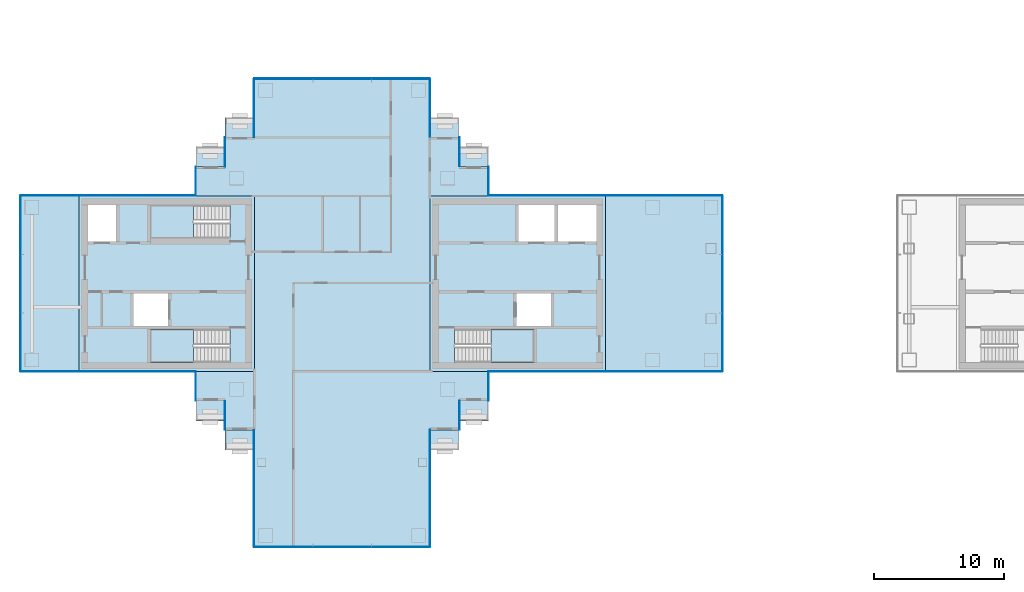
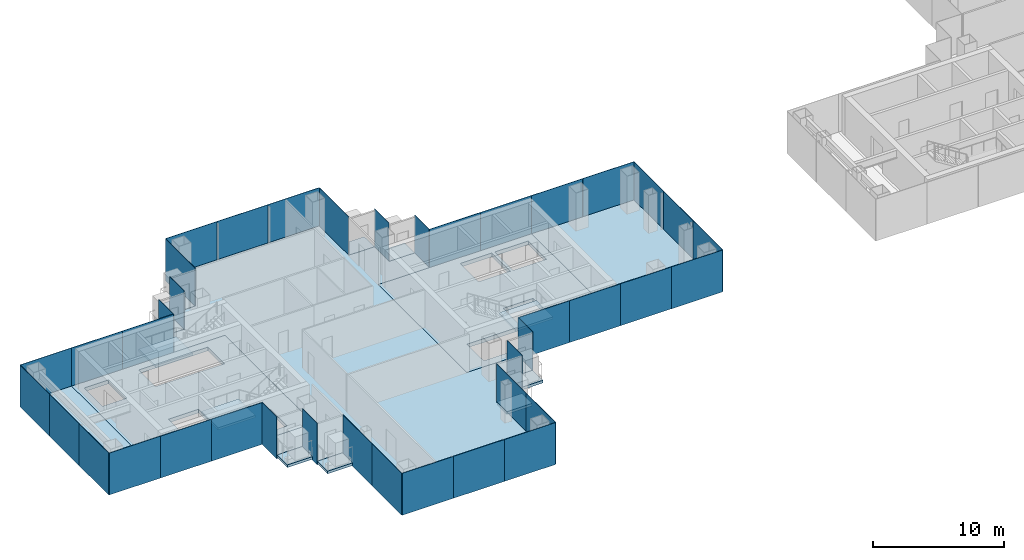
# One storey, part 7 of 16: 40 plates, 16 slabs, 23 elements without a shape of their own.
"""IFC4 building model written with IfcOpenShell, lengths in metres."""

import ifcopenshell
import ifcopenshell.guid

model = None  # the IFC model being written
_history = None  # IfcOwnerHistory: only IFC2X3 demands one
_inside = {}  # id of a spatial element -> (the spatial element, [elements in it])
_under = {}  # id of a project, library or spatial element -> (it, [spatial elements below it])
_declared = {}  # id of a project -> (the project, [libraries it declares])
_typed = {}  # id of a type object -> (the type object, [elements of that type])
_made_of = {}  # id of a material, layer set ... -> (it, [elements and type objects made of it])


def new_model(schema):
    """Start an empty IFC model of exactly this schema.

    Asked for "IFC4X3", IfcOpenShell would pick the latest addendum, in which some entities
    have other attributes; the version numbers below select the first issue.
    IFC2X3 requires an IfcOwnerHistory on every rooted entity: one is made here for all.
    """
    global model, _history
    if schema == "IFC4X3":
        model = ifcopenshell.file(schema_version=(4, 3, 0, 0))
    else:
        model = ifcopenshell.file(schema=schema)
    _inside.clear()
    _under.clear()
    _declared.clear()
    _typed.clear()
    _made_of.clear()
    _history = None
    if model.schema == "IFC2X3":
        org = make("IfcOrganization", Name="unknown")
        user = make(
            "IfcPersonAndOrganization",
            ThePerson=make("IfcPerson", FamilyName="unknown"),
            TheOrganization=org,
        )
        app = make(
            "IfcApplication",
            ApplicationDeveloper=org,
            Version="unknown",
            ApplicationFullName="unknown",
            ApplicationIdentifier="unknown",
        )
        _history = make(
            "IfcOwnerHistory",
            OwningUser=user,
            OwningApplication=app,
            ChangeAction="ADDED",
            CreationDate=0,
        )
    return model


def make(cls, **values):
    """One entity of the class cls with the attributes given. An attribute that is None is left unset."""
    return model.create_entity(
        cls, **{name: value for name, value in values.items() if value is not None}
    )


def rooted(cls, **values):
    """An entity with a GlobalId (a new one), such as an element, a storey or a relation."""
    return make(cls, GlobalId=ifcopenshell.guid.new(), OwnerHistory=_history, **values)


def si_unit(unit_type, name, prefix=None):
    """IfcSIUnit, for example si_unit("LENGTHUNIT", "METRE", prefix="MILLI")."""
    return make("IfcSIUnit", UnitType=unit_type, Prefix=prefix, Name=name)


def assignment(units):
    """IfcUnitAssignment: the units of a project."""
    return None if units is None else make("IfcUnitAssignment", Units=units)


def point(xyz):
    """IfcCartesianPoint."""
    return None if xyz is None else make("IfcCartesianPoint", Coordinates=xyz)


def direction(xyz):
    """IfcDirection."""
    return None if xyz is None else make("IfcDirection", DirectionRatios=xyz)


def frame(location, z_axis=None, x_axis=None):
    """IfcAxis2Placement3D, a coordinate frame: its origin and axes. An axis left out is left unset."""
    return make(
        "IfcAxis2Placement3D",
        Location=point(location),
        Axis=direction(z_axis),
        RefDirection=direction(x_axis),
    )


def frame_2d(location, x_axis=None):
    """IfcAxis2Placement2D, a coordinate frame in the plane: its origin and x axis."""
    return make(
        "IfcAxis2Placement2D", Location=point(location), RefDirection=direction(x_axis)
    )


def origin():
    """The frame at (0, 0, 0) with its axes left unset."""
    return frame((0.0, 0.0, 0.0))


def origin_2d():
    """The frame at (0, 0) in the plane with its x axis left unset."""
    return frame_2d((0.0, 0.0))


def place(relative_to, where):
    """IfcLocalPlacement: puts the frame where relative to a parent placement (None: the world)."""
    return make(
        "IfcLocalPlacement", PlacementRelTo=relative_to, RelativePlacement=where
    )


def context(
    kind, dimensions, precision=None, world=None, true_north=None, identifier=None
):
    """IfcGeometricRepresentationContext, for example the 3D "Model" context."""
    return make(
        "IfcGeometricRepresentationContext",
        ContextIdentifier=identifier,
        ContextType=kind,
        CoordinateSpaceDimension=dimensions,
        Precision=precision,
        WorldCoordinateSystem=world,
        TrueNorth=true_north,
    )


def subcontext(parent, identifier, kind, view, scale=None):
    """IfcGeometricRepresentationSubContext, for example "Body" below "Model"."""
    return make(
        "IfcGeometricRepresentationSubContext",
        ContextIdentifier=identifier,
        ContextType=kind,
        ParentContext=parent,
        TargetScale=scale,
        TargetView=view,
    )


def project(units=None, contexts=None):
    """IfcProject with its units and contexts."""
    return rooted(
        "IfcProject",
        Name="project",
        RepresentationContexts=contexts,
        UnitsInContext=assignment(units),
    )


def spatial(cls, under=None, at=None, **own):
    """A site, building, storey or space (cls), placed at a placement, below another one or the project."""
    s = rooted(cls, ObjectPlacement=at, **own)
    if under is not None:
        _under.setdefault(under.id(), (under, []))[1].append(s)
    return s


def polyline(points):
    """IfcPolyline through the points."""
    return make("IfcPolyline", Points=[point(p) for p in points])


def profile(cls, at=None, kind="AREA", **sizes):
    """A parametric profile (cls). Its sizes go by their IFC names, for example OverallWidth=200.0."""
    return make(cls, ProfileType=kind, Position=at, **sizes)


def rectangle(**sizes):
    """IfcRectangleProfileDef."""
    return profile("IfcRectangleProfileDef", **sizes)


def outline(outer, holes=None, kind="AREA"):
    """IfcArbitraryClosedProfileDef: a profile drawn as a closed curve; with holes, ...WithVoids."""
    if holes is None:
        return make("IfcArbitraryClosedProfileDef", ProfileType=kind, OuterCurve=outer)
    return make(
        "IfcArbitraryProfileDefWithVoids",
        ProfileType=kind,
        OuterCurve=outer,
        InnerCurves=holes,
    )


def extrude(swept, where, along, depth):
    """IfcExtrudedAreaSolid: the profile swept, set in the frame where, extruded along a direction by depth."""
    return make(
        "IfcExtrudedAreaSolid",
        SweptArea=swept,
        Position=where,
        ExtrudedDirection=direction(along),
        Depth=depth,
    )


def shape(context_of_items, identifier, shape_type, items):
    """IfcShapeRepresentation: the items that make up one representation, for example the "Body"."""
    return make(
        "IfcShapeRepresentation",
        ContextOfItems=context_of_items,
        RepresentationIdentifier=identifier,
        RepresentationType=shape_type,
        Items=items,
    )


def material(Name=None, Category=None):
    """IfcMaterial."""
    return make("IfcMaterial", Name=Name, Category=Category)


def layer(
    of_material, thickness, ventilated=None, Name=None, Category=None, Priority=None
):
    """IfcMaterialLayer: one layer of a wall or slab, of a material (None: an air gap)."""
    return make(
        "IfcMaterialLayer",
        Material=of_material,
        LayerThickness=thickness,
        IsVentilated=ventilated,
        Name=Name,
        Category=Category,
        Priority=Priority,
    )


def layer_set(layers, Name=None):
    """IfcMaterialLayerSet."""
    return make("IfcMaterialLayerSet", MaterialLayers=layers, LayerSetName=Name)


def made_of(thing, what):
    """Note that an element or type object is made of a material, layer set ...; save() writes the relation."""
    if what is not None:
        _made_of.setdefault(what.id(), (what, []))[1].append(thing)
    return thing


def type_object(cls, material=None, **own):
    """A type object (cls), such as IfcWallType, which elements share."""
    return made_of(rooted(cls, **own), material)


def element(
    cls,
    number,
    at=None,
    inside=None,
    cuts=None,
    type_object=None,
    material=None,
    context=None,
    identifier="Body",
    shape_type=None,
    held_by="IfcProductDefinitionShape",
    body=None,
    shapes=None,
    **own,
):
    """One element of the class cls, such as IfcWall. Its Tag is "e" and its number.

    at: its placement. inside: the storey or other place that contains it. cuts: it is an
    opening in that element (IfcRelVoidsElement). A single representation is given by context,
    identifier, shape_type and body (its items); several are given by shapes. held_by: the class
    of the entity that holds the representations. save() writes the other relations.
    """
    e = rooted(cls, Tag="e%d" % number, ObjectPlacement=at, **own)
    if body is not None:
        shapes = [shape(context, identifier, shape_type, body)]
    if shapes is not None:
        e.Representation = make(held_by, Representations=shapes)
    if inside is not None:
        _inside.setdefault(inside.id(), (inside, []))[1].append(e)
    if cuts is not None:
        rooted(
            "IfcRelVoidsElement", RelatingBuildingElement=cuts, RelatedOpeningElement=e
        )
    if type_object is not None:
        _typed.setdefault(type_object.id(), (type_object, []))[1].append(e)
    return made_of(e, material)


def aggregate(whole, parts):
    """IfcRelAggregates: a whole, such as a stair, and the parts it consists of."""
    return rooted("IfcRelAggregates", RelatingObject=whole, RelatedObjects=parts)


def save(model, path):
    """Write the relations noted so far, then the file.

    IfcRelAggregates (storeys below a building ...), IfcRelContainedInSpatialStructure (elements
    in a storey), IfcRelDefinesByType, IfcRelAssociatesMaterial and IfcRelDeclares: one each for
    every whole, place, type object, material and project.
    """
    for whole, parts in _under.values():
        aggregate(whole, parts)
    for where, things in _inside.values():
        rooted(
            "IfcRelContainedInSpatialStructure",
            RelatedElements=things,
            RelatingStructure=where,
        )
    for kind, things in _typed.values():
        rooted("IfcRelDefinesByType", RelatedObjects=things, RelatingType=kind)
    for what, things in _made_of.values():
        rooted("IfcRelAssociatesMaterial", RelatedObjects=things, RelatingMaterial=what)
    for by, libraries in _declared.values():
        rooted("IfcRelDeclares", RelatingContext=by, RelatedDefinitions=libraries)
    model.write(path)


model = new_model("IFC4")

# Units and contexts
model_context = context("Model", 3, precision=1e-05, world=origin(), true_north=direction((0.0, 1.0)))
body_context = subcontext(model_context, "Body", "Model", "MODEL_VIEW")
ifc_project = project(units=[si_unit("LENGTHUNIT", "METRE"), si_unit("AREAUNIT", "SQUARE_METRE"), si_unit("VOLUMEUNIT", "CUBIC_METRE"), si_unit("PLANEANGLEUNIT", "RADIAN"), si_unit("MASSUNIT", "GRAM", prefix="KILO")], contexts=[model_context])

# Site, building, storey
site_placement = place(None, origin())
site = spatial("IfcSite", under=ifc_project, at=site_placement, CompositionType="ELEMENT")
building_placement = place(site_placement, origin())
building = spatial("IfcBuilding", under=site, at=building_placement, Name="Shamsa Quay Exchange Towers", CompositionType="ELEMENT")
storey_placement = place(building_placement, frame((0.0, 0.0, 154.5)))
storey = spatial("IfcBuildingStorey", under=building, at=storey_placement, Name="L36", CompositionType="ELEMENT", Elevation=154.5)

# Slabs
ifc_material_1 = material(Name="Precast concrete C40/50", Category="concrete")
ifc_layer_1 = layer(ifc_material_1, 0.25)
ifc_layer_set_1 = layer_set([ifc_layer_1], Name="BALCONY SLAB 250")
slab_type_1 = type_object("IfcSlabType", Name="BALCONY SLAB 250", PredefinedType="FLOOR", material=ifc_layer_set_1)
slab_1_placement = place(storey_placement, frame((0.0, 0.0, -0.25)))
element("IfcSlab", 1, at=slab_1_placement, inside=storey, type_object=slab_type_1, Name="Balcony T1-PKEN L36", PredefinedType="FLOOR", context=body_context, shape_type="SweptSolid", body=[
    extrude(outline(polyline([(-22.5, 9.0), (-24.7119140625, 9.0), (-24.7119140625, 10.550048828125), (-22.5, 10.550048828125), (-22.5, 9.0)])), origin(), (0.0, 0.0, 1.0), 0.25),
])
slab_2_placement = place(storey_placement, frame((0.0, 0.0, -0.25)))
element("IfcSlab", 2, at=slab_2_placement, inside=storey, type_object=slab_type_1, Name="Balcony T1-PKEN L36", PredefinedType="FLOOR", context=body_context, shape_type="SweptSolid", body=[
    extrude(outline(polyline([(-24.75, 11.25), (-26.9619140625, 11.25), (-26.9619140625, 12.800048828125), (-24.75, 12.800048828125), (-24.75, 11.25)])), origin(), (0.0, 0.0, 1.0), 0.25),
])
slab_3_placement = place(storey_placement, frame((0.0, 0.0, -0.25)))
element("IfcSlab", 3, at=slab_3_placement, inside=storey, type_object=slab_type_1, Name="Balcony T1-PKES L36", PredefinedType="FLOOR", context=body_context, shape_type="SweptSolid", body=[
    extrude(outline(polyline([(-24.7119140625, -9.0), (-22.5, -9.0), (-22.5, -10.550048828125), (-24.7119140625, -10.550048828125), (-24.7119140625, -9.0)])), origin(), (0.0, 0.0, 1.0), 0.25),
])
slab_4_placement = place(storey_placement, frame((0.0, 0.0, -0.25)))
element("IfcSlab", 4, at=slab_4_placement, inside=storey, type_object=slab_type_1, Name="Balcony T1-PKES L36", PredefinedType="FLOOR", context=body_context, shape_type="SweptSolid", body=[
    extrude(outline(polyline([(-26.9619140625, -11.25), (-24.75, -11.25), (-24.75, -12.800048828125), (-26.9619140625, -12.800048828125), (-26.9619140625, -11.25)])), origin(), (0.0, 0.0, 1.0), 0.25),
])
slab_5_placement = place(storey_placement, frame((0.0, 0.0, -0.25)))
element("IfcSlab", 5, at=slab_5_placement, inside=storey, type_object=slab_type_1, Name="Balcony T1-PKWN L36", PredefinedType="FLOOR", context=body_context, shape_type="SweptSolid", body=[
    extrude(outline(polyline([(-40.5380859375, 11.25), (-42.75, 11.25), (-42.75, 12.800048828125), (-40.5380859375, 12.800048828125), (-40.5380859375, 11.25)])), origin(), (0.0, 0.0, 1.0), 0.25),
])
slab_6_placement = place(storey_placement, frame((0.0, 0.0, -0.25)))
element("IfcSlab", 6, at=slab_6_placement, inside=storey, type_object=slab_type_1, Name="Balcony T1-PKWN L36", PredefinedType="FLOOR", context=body_context, shape_type="SweptSolid", body=[
    extrude(outline(polyline([(-42.7880859375, 9.0), (-45.0, 9.0), (-45.0, 10.550048828125), (-42.7880859375, 10.550048828125), (-42.7880859375, 9.0)])), origin(), (0.0, 0.0, 1.0), 0.25),
])
slab_7_placement = place(storey_placement, frame((0.0, 0.0, -0.25)))
element("IfcSlab", 7, at=slab_7_placement, inside=storey, type_object=slab_type_1, Name="Balcony T1-PKWS L36", PredefinedType="FLOOR", context=body_context, shape_type="SweptSolid", body=[
    extrude(outline(polyline([(-45.0, -9.0), (-42.7880859375, -9.0), (-42.7880859375, -10.550048828125), (-45.0, -10.550048828125), (-45.0, -9.0)])), origin(), (0.0, 0.0, 1.0), 0.25),
])
slab_8_placement = place(storey_placement, frame((0.0, 0.0, -0.25)))
element("IfcSlab", 8, at=slab_8_placement, inside=storey, type_object=slab_type_1, Name="Balcony T1-PKWS L36", PredefinedType="FLOOR", context=body_context, shape_type="SweptSolid", body=[
    extrude(outline(polyline([(-42.75, -11.25), (-40.5380859375, -11.25), (-40.5380859375, -12.800048828125), (-42.75, -12.800048828125), (-42.75, -11.25)])), origin(), (0.0, 0.0, 1.0), 0.25),
])
ifc_material_2 = material(Name="Concrete C50/60", Category="concrete")
ifc_layer_2 = layer(ifc_material_2, 0.35009765625)
ifc_layer_set_2 = layer_set([ifc_layer_2], Name="CORE FLOOR 350 C50/60")
slab_type_2 = type_object("IfcSlabType", Name="CORE FLOOR 350 C50/60", PredefinedType="FLOOR", material=ifc_layer_set_2)
slab_9_placement = place(storey_placement, frame((0.0, 0.0, -0.35009765625)))
element("IfcSlab", 9, at=slab_9_placement, inside=storey, type_object=slab_type_2, Name="Core floor T1A", PredefinedType="FLOOR", context=body_context, shape_type="SweptSolid", body=[
    extrude(outline(polyline([(-27.0, -6.75), (-13.5, -6.75), (-13.5, 6.75), (-27.0, 6.75), (-27.0, -6.75)]), holes=[polyline([(-25.099365234375, -6.050048828125), (-25.099365234375, -3.5), (-19.0, -3.5), (-19.0, -6.050048828125), (-25.099365234375, -6.050048828125)]), polyline([(-20.199951171875, 3.25), (-20.199951171875, 6.050048828125), (-17.39990234375, 6.050048828125), (-17.39990234375, 3.25), (-20.199951171875, 3.25)]), polyline([(-17.14990234375, 3.25), (-17.14990234375, 6.050048828125), (-14.199951171875, 6.050048828125), (-14.199951171875, 3.25), (-17.14990234375, 3.25)]), polyline([(-20.35009765625, -3.25), (-20.35009765625, -0.75), (-17.699951171875, -0.75), (-17.699951171875, -3.25), (-20.35009765625, -3.25)])]), origin(), (0.0, 0.0, 1.0), 0.35009765625),
])
slab_10_placement = place(storey_placement, frame((0.0, 0.0, -0.35009765625)))
element("IfcSlab", 10, at=slab_10_placement, inside=storey, type_object=slab_type_2, Name="Core floor T1B", PredefinedType="FLOOR", context=body_context, shape_type="SweptSolid", body=[
    extrude(outline(polyline([(-40.5, -6.75), (-40.5, 6.75), (-54.0, 6.75), (-54.0, -6.75), (-40.5, -6.75)]), holes=[polyline([(-42.400634765625, -3.5), (-42.400634765625, -6.050048828125), (-48.5, -6.050048828125), (-48.5, -3.5), (-42.400634765625, -3.5)]), polyline([(-42.400634765625, 6.050048828125), (-42.400634765625, 3.5), (-48.5, 3.5), (-48.5, 6.050048828125), (-42.400634765625, 6.050048828125)]), polyline([(-51.14990234375, 3.25), (-53.300048828125, 3.25), (-53.300048828125, 6.050048828125), (-51.14990234375, 6.050048828125), (-51.14990234375, 3.25)]), polyline([(-47.14990234375, -3.25), (-49.800048828125, -3.25), (-49.800048828125, -0.75), (-47.14990234375, -0.75), (-47.14990234375, -3.25)])]), origin(), (0.0, 0.0, 1.0), 0.35009765625),
])

# Stair, slab
ifc_material_3 = material(Name="Concrete C40/50", Category="concrete")
stair_type = type_object("IfcStairType", Name="EXIT STAIR 22 RISERS 177 MM", PredefinedType="HALF_TURN_STAIR", material=ifc_material_3)
stair_1_placement = place(storey_placement, origin())
stair_1 = element("IfcStair", 11, at=stair_1_placement, inside=storey, type_object=stair_type, Name="L36 Exit stair ST1", PredefinedType="HALF_TURN_STAIR")
ifc_layer_3 = layer(ifc_material_3, 0.199951171875)
ifc_layer_set_3 = layer_set([ifc_layer_3], Name="CORE STAIR LANDING")
slab_type_3 = type_object("IfcSlabType", Name="CORE STAIR LANDING", PredefinedType="LANDING", material=ifc_layer_set_3)
slab_11_placement = place(storey_placement, frame((0.0, 0.0, 1.75)))
slab_11 = element("IfcSlab", 12, at=slab_11_placement, type_object=slab_type_3, Name="ST1 landing 1", PredefinedType="LANDING", context=body_context, shape_type="SweptSolid", body=[
    extrude(outline(polyline([(-22.300048828125, -6.050048828125), (-19.0, -6.050048828125), (-19.0, -3.5), (-22.300048828125, -3.5), (-22.300048828125, -6.050048828125)])), origin(), (0.0, 0.0, 1.0), 0.199951171875),
])
aggregate(stair_1, [slab_11])

stair_2_placement = place(storey_placement, origin())
stair_2 = element("IfcStair", 13, at=stair_2_placement, inside=storey, type_object=stair_type, Name="L36 Exit stair ST2", PredefinedType="HALF_TURN_STAIR")
slab_12_placement = place(storey_placement, frame((0.0, 0.0, 1.75)))
slab_12 = element("IfcSlab", 14, at=slab_12_placement, type_object=slab_type_3, Name="ST2 landing 1", PredefinedType="LANDING", context=body_context, shape_type="SweptSolid", body=[
    extrude(outline(polyline([(-45.199951171875, -3.5), (-48.5, -3.5), (-48.5, -6.050048828125), (-45.199951171875, -6.050048828125), (-45.199951171875, -3.5)])), origin(), (0.0, 0.0, 1.0), 0.199951171875),
])
aggregate(stair_2, [slab_12])

stair_3_placement = place(storey_placement, origin())
stair_3 = element("IfcStair", 15, at=stair_3_placement, inside=storey, type_object=stair_type, Name="L36 Exit stair ST3", PredefinedType="HALF_TURN_STAIR")
slab_13_placement = place(storey_placement, frame((0.0, 0.0, 1.75)))
slab_13 = element("IfcSlab", 16, at=slab_13_placement, type_object=slab_type_3, Name="ST3 landing 1", PredefinedType="LANDING", context=body_context, shape_type="SweptSolid", body=[
    extrude(outline(polyline([(-45.199951171875, 6.050048828125), (-48.5, 6.050048828125), (-48.5, 3.5), (-45.199951171875, 3.5), (-45.199951171875, 6.050048828125)])), origin(), (0.0, 0.0, 1.0), 0.199951171875),
])
aggregate(stair_3, [slab_13])

# Curtain wall, plates
ifc_material_4 = material(Name="Aluminium EN AW-6063 T6, black anodised", Category="aluminium")
ifc_layer_4 = layer(ifc_material_4, 0.280029296875)
ifc_layer_set_4 = layer_set([ifc_layer_4], Name="CW-1 UNITISED VISION GLASS")
curtain_wall_type_1 = type_object("IfcCurtainWallType", Name="CW-1 UNITISED VISION GLASS", PredefinedType="NOTDEFINED", material=ifc_layer_set_4)
curtain_wall_1_placement = place(storey_placement, origin())
curtain_wall_1 = element("IfcCurtainWall", 17, at=curtain_wall_1_placement, inside=storey, type_object=curtain_wall_type_1, Name="CW1 T1-FLK-V-W L36", PredefinedType="NOTDEFINED")
ifc_material_5 = material(Name="Glass, laminated, dark tinted", Category="glass")
ifc_layer_5 = layer(ifc_material_5, 0.0400390625)
ifc_layer_set_5 = layer_set([ifc_layer_5], Name="CW-1 VISION GLASS 40")
plate_type_1 = type_object("IfcPlateType", Name="CW-1 VISION GLASS 40", PredefinedType="CURTAIN_PANEL", material=ifc_layer_set_5)
plate_1_placement = place(storey_placement, frame((-40.52001953125, -13.52587890625, -0.349853515625), z_axis=(0.0, 0.0, 1.0), x_axis=(0.0, -1.0, 0.0)))
plate_1 = element("IfcPlate", 18, at=plate_1_placement, type_object=plate_type_1, Name="CW1 glass panel", PredefinedType="CURTAIN_PANEL", context=body_context, shape_type="SweptSolid", body=[
    extrude(rectangle(XDim=4.47607421875, YDim=0.0400390625, at=origin_2d()), origin(), (0.0, 0.0, 1.0), 3.89990234375),
])
plate_2_placement = place(storey_placement, frame((-40.52001953125, -18.011962890625, -0.349853515625), z_axis=(0.0, 0.0, 1.0), x_axis=(0.0, -1.0, 0.0)))
plate_2 = element("IfcPlate", 19, at=plate_2_placement, type_object=plate_type_1, Name="CW1 glass panel", PredefinedType="CURTAIN_PANEL", context=body_context, shape_type="SweptSolid", body=[
    extrude(rectangle(XDim=4.47607421875, YDim=0.0400390625, at=origin_2d()), origin(), (0.0, 0.0, 1.0), 3.89990234375),
])
aggregate(curtain_wall_1, [plate_1, plate_2])

curtain_wall_2_placement = place(storey_placement, origin())
curtain_wall_2 = element("IfcCurtainWall", 20, at=curtain_wall_2_placement, inside=storey, type_object=curtain_wall_type_1, Name="CW1 T1-END-V- L36", PredefinedType="NOTDEFINED")
plate_3_placement = place(storey_placement, frame((-38.25244140625, -20.27001953125, -0.349853515625)))
plate_3 = element("IfcPlate", 21, at=plate_3_placement, type_object=plate_type_1, Name="CW1 glass panel", PredefinedType="CURTAIN_PANEL", context=body_context, shape_type="SweptSolid", body=[
    extrude(rectangle(XDim=4.4951171875, YDim=0.0400390625, at=origin_2d()), origin(), (0.0, 0.0, 1.0), 3.89990234375),
])
plate_4_placement = place(storey_placement, frame((-33.75, -20.27001953125, -0.349853515625)))
plate_4 = element("IfcPlate", 22, at=plate_4_placement, type_object=plate_type_1, Name="CW1 glass panel", PredefinedType="CURTAIN_PANEL", context=body_context, shape_type="SweptSolid", body=[
    extrude(rectangle(XDim=4.489990234375, YDim=0.0400390625, at=origin_2d()), origin(), (0.0, 0.0, 1.0), 3.89990234375),
])
plate_5_placement = place(storey_placement, frame((-29.24755859375, -20.27001953125, -0.349853515625)))
plate_5 = element("IfcPlate", 23, at=plate_5_placement, type_object=plate_type_1, Name="CW1 glass panel", PredefinedType="CURTAIN_PANEL", context=body_context, shape_type="SweptSolid", body=[
    extrude(rectangle(XDim=4.4951171875, YDim=0.0400390625, at=origin_2d()), origin(), (0.0, 0.0, 1.0), 3.89990234375),
])
aggregate(curtain_wall_2, [plate_3, plate_4, plate_5])

curtain_wall_3_placement = place(storey_placement, origin())
curtain_wall_3 = element("IfcCurtainWall", 24, at=curtain_wall_3_placement, inside=storey, type_object=curtain_wall_type_1, Name="CW1 T1-FLK-V-E L36", PredefinedType="NOTDEFINED")
plate_6_placement = place(storey_placement, frame((-26.97998046875, -18.00244140625, -0.349853515625), z_axis=(0.0, 0.0, 1.0), x_axis=(0.0, 1.0, 0.0)))
plate_6 = element("IfcPlate", 25, at=plate_6_placement, type_object=plate_type_1, Name="CW1 glass panel", PredefinedType="CURTAIN_PANEL", context=body_context, shape_type="SweptSolid", body=[
    extrude(rectangle(XDim=4.4951171875, YDim=0.0400390625, at=origin_2d()), origin(), (0.0, 0.0, 1.0), 3.89990234375),
])
plate_7_placement = place(storey_placement, frame((-26.97998046875, -13.49755859375, -0.349853515625), z_axis=(0.0, 0.0, 1.0), x_axis=(0.0, 1.0, 0.0)))
plate_7 = element("IfcPlate", 26, at=plate_7_placement, type_object=plate_type_1, Name="CW1 glass panel", PredefinedType="CURTAIN_PANEL", context=body_context, shape_type="SweptSolid", body=[
    extrude(rectangle(XDim=4.4951171875, YDim=0.0400390625, at=origin_2d()), origin(), (0.0, 0.0, 1.0), 3.89990234375),
])
aggregate(curtain_wall_3, [plate_6, plate_7])

curtain_wall_4_placement = place(storey_placement, origin())
curtain_wall_4 = element("IfcCurtainWall", 27, at=curtain_wall_4_placement, inside=storey, type_object=curtain_wall_type_1, Name="CW1 T1-FLK-U+S L36", PredefinedType="NOTDEFINED")
plate_8_placement = place(storey_placement, frame((-11.25244140625, -6.77001953125, -0.349853515625)))
plate_8 = element("IfcPlate", 28, at=plate_8_placement, type_object=plate_type_1, Name="CW1 glass panel", PredefinedType="CURTAIN_PANEL", context=body_context, shape_type="SweptSolid", body=[
    extrude(rectangle(XDim=4.4951171875, YDim=0.0400390625, at=origin_2d()), origin(), (0.0, 0.0, 1.0), 3.89990234375),
])
plate_9_placement = place(storey_placement, frame((-6.74755859375, -6.77001953125, -0.349853515625)))
plate_9 = element("IfcPlate", 29, at=plate_9_placement, type_object=plate_type_1, Name="CW1 glass panel", PredefinedType="CURTAIN_PANEL", context=body_context, shape_type="SweptSolid", body=[
    extrude(rectangle(XDim=4.4951171875, YDim=0.0400390625, at=origin_2d()), origin(), (0.0, 0.0, 1.0), 3.89990234375),
])
aggregate(curtain_wall_4, [plate_8, plate_9])

curtain_wall_5_placement = place(storey_placement, origin())
curtain_wall_5 = element("IfcCurtainWall", 30, at=curtain_wall_5_placement, inside=storey, type_object=curtain_wall_type_1, Name="CW1 T1-END-U+ L36", PredefinedType="NOTDEFINED")
plate_10_placement = place(storey_placement, frame((-4.47998046875, -4.50244140625, -0.349853515625), z_axis=(0.0, 0.0, 1.0), x_axis=(0.0, 1.0, 0.0)))
plate_10 = element("IfcPlate", 31, at=plate_10_placement, type_object=plate_type_1, Name="CW1 glass panel", PredefinedType="CURTAIN_PANEL", context=body_context, shape_type="SweptSolid", body=[
    extrude(rectangle(XDim=4.4951171875, YDim=0.0400390625, at=origin_2d()), origin(), (0.0, 0.0, 1.0), 3.89990234375),
])
plate_11_placement = place(storey_placement, frame((-4.47998046875, 0.0, -0.349853515625), z_axis=(0.0, 0.0, 1.0), x_axis=(0.0, 1.0, 0.0)))
plate_11 = element("IfcPlate", 32, at=plate_11_placement, type_object=plate_type_1, Name="CW1 glass panel", PredefinedType="CURTAIN_PANEL", context=body_context, shape_type="SweptSolid", body=[
    extrude(rectangle(XDim=4.489990234375, YDim=0.0400390625, at=origin_2d()), origin(), (0.0, 0.0, 1.0), 3.89990234375),
])
plate_12_placement = place(storey_placement, frame((-4.47998046875, 4.50244140625, -0.349853515625), z_axis=(0.0, 0.0, 1.0), x_axis=(0.0, 1.0, 0.0)))
plate_12 = element("IfcPlate", 33, at=plate_12_placement, type_object=plate_type_1, Name="CW1 glass panel", PredefinedType="CURTAIN_PANEL", context=body_context, shape_type="SweptSolid", body=[
    extrude(rectangle(XDim=4.4951171875, YDim=0.0400390625, at=origin_2d()), origin(), (0.0, 0.0, 1.0), 3.89990234375),
])
aggregate(curtain_wall_5, [plate_10, plate_11, plate_12])

curtain_wall_6_placement = place(storey_placement, origin())
curtain_wall_6 = element("IfcCurtainWall", 34, at=curtain_wall_6_placement, inside=storey, type_object=curtain_wall_type_1, Name="CW1 T1-FLK-U+N L36", PredefinedType="NOTDEFINED")
plate_13_placement = place(storey_placement, frame((-6.74755859375, 6.77001953125, -0.349853515625), z_axis=(0.0, 0.0, 1.0), x_axis=(-1.0, 0.0, 0.0)))
plate_13 = element("IfcPlate", 35, at=plate_13_placement, type_object=plate_type_1, Name="CW1 glass panel", PredefinedType="CURTAIN_PANEL", context=body_context, shape_type="SweptSolid", body=[
    extrude(rectangle(XDim=4.4951171875, YDim=0.0400390625, at=origin_2d()), origin(), (0.0, 0.0, 1.0), 3.89990234375),
])
plate_14_placement = place(storey_placement, frame((-11.25244140625, 6.77001953125, -0.349853515625), z_axis=(0.0, 0.0, 1.0), x_axis=(-1.0, 0.0, 0.0)))
plate_14 = element("IfcPlate", 36, at=plate_14_placement, type_object=plate_type_1, Name="CW1 glass panel", PredefinedType="CURTAIN_PANEL", context=body_context, shape_type="SweptSolid", body=[
    extrude(rectangle(XDim=4.4951171875, YDim=0.0400390625, at=origin_2d()), origin(), (0.0, 0.0, 1.0), 3.89990234375),
])
aggregate(curtain_wall_6, [plate_13, plate_14])

# Curtain wall, plate
curtain_wall_7_placement = place(storey_placement, origin())
curtain_wall_7 = element("IfcCurtainWall", 37, at=curtain_wall_7_placement, inside=storey, type_object=curtain_wall_type_1, Name="CW1 T1-FLK-V+E L36", PredefinedType="NOTDEFINED")
plate_15_placement = place(storey_placement, frame((-26.97998046875, 13.51904296875, -0.349853515625), z_axis=(0.0, 0.0, 1.0), x_axis=(0.0, 1.0, 0.0)))
plate_15 = element("IfcPlate", 38, at=plate_15_placement, type_object=plate_type_1, Name="CW1 glass panel", PredefinedType="CURTAIN_PANEL", context=body_context, shape_type="SweptSolid", body=[
    extrude(rectangle(XDim=4.4619140625, YDim=0.0400390625, at=origin_2d()), origin(), (0.0, 0.0, 1.0), 3.89990234375),
])
aggregate(curtain_wall_7, [plate_15])

# Curtain wall, plates
curtain_wall_8_placement = place(storey_placement, origin())
curtain_wall_8 = element("IfcCurtainWall", 39, at=curtain_wall_8_placement, inside=storey, type_object=curtain_wall_type_1, Name="CW1 T1-END-V+ L36", PredefinedType="NOTDEFINED")
plate_16_placement = place(storey_placement, frame((-29.24755859375, 15.77001953125, -0.349853515625), z_axis=(0.0, 0.0, 1.0), x_axis=(-1.0, 0.0, 0.0)))
plate_16 = element("IfcPlate", 40, at=plate_16_placement, type_object=plate_type_1, Name="CW1 glass panel", PredefinedType="CURTAIN_PANEL", context=body_context, shape_type="SweptSolid", body=[
    extrude(rectangle(XDim=4.4951171875, YDim=0.0400390625, at=origin_2d()), origin(), (0.0, 0.0, 1.0), 3.89990234375),
])
plate_17_placement = place(storey_placement, frame((-33.75, 15.77001953125, -0.349853515625), z_axis=(0.0, 0.0, 1.0), x_axis=(-1.0, 0.0, 0.0)))
plate_17 = element("IfcPlate", 41, at=plate_17_placement, type_object=plate_type_1, Name="CW1 glass panel", PredefinedType="CURTAIN_PANEL", context=body_context, shape_type="SweptSolid", body=[
    extrude(rectangle(XDim=4.489990234375, YDim=0.0400390625, at=origin_2d()), origin(), (0.0, 0.0, 1.0), 3.89990234375),
])
plate_18_placement = place(storey_placement, frame((-38.25244140625, 15.77001953125, -0.349853515625), z_axis=(0.0, 0.0, 1.0), x_axis=(-1.0, 0.0, 0.0)))
plate_18 = element("IfcPlate", 42, at=plate_18_placement, type_object=plate_type_1, Name="CW1 glass panel", PredefinedType="CURTAIN_PANEL", context=body_context, shape_type="SweptSolid", body=[
    extrude(rectangle(XDim=4.4951171875, YDim=0.0400390625, at=origin_2d()), origin(), (0.0, 0.0, 1.0), 3.89990234375),
])
aggregate(curtain_wall_8, [plate_16, plate_17, plate_18])

# Curtain wall, plate
curtain_wall_9_placement = place(storey_placement, origin())
curtain_wall_9 = element("IfcCurtainWall", 43, at=curtain_wall_9_placement, inside=storey, type_object=curtain_wall_type_1, Name="CW1 T1-FLK-V+W L36", PredefinedType="NOTDEFINED")
plate_19_placement = place(storey_placement, frame((-40.52001953125, 13.5, -0.349853515625), z_axis=(0.0, 0.0, 1.0), x_axis=(0.0, -1.0, 0.0)))
plate_19 = element("IfcPlate", 44, at=plate_19_placement, type_object=plate_type_1, Name="CW1 glass panel", PredefinedType="CURTAIN_PANEL", context=body_context, shape_type="SweptSolid", body=[
    extrude(rectangle(XDim=4.5, YDim=0.0400390625, at=origin_2d()), origin(), (0.0, 0.0, 1.0), 3.89990234375),
])
aggregate(curtain_wall_9, [plate_19])

curtain_wall_10_placement = place(storey_placement, origin())
curtain_wall_10 = element("IfcCurtainWall", 45, at=curtain_wall_10_placement, inside=storey, type_object=curtain_wall_type_1, Name="CW1 T1-FLK-U-N L36", PredefinedType="NOTDEFINED")
plate_20_placement = place(storey_placement, frame((-56.25, 6.77001953125, -0.349853515625), z_axis=(0.0, 0.0, 1.0), x_axis=(-1.0, 0.0, 0.0)))
plate_20 = element("IfcPlate", 46, at=plate_20_placement, type_object=plate_type_1, Name="CW1 glass panel", PredefinedType="CURTAIN_PANEL", context=body_context, shape_type="SweptSolid", body=[
    extrude(rectangle(XDim=4.5, YDim=0.0400390625, at=origin_2d()), origin(), (0.0, 0.0, 1.0), 3.89990234375),
])
aggregate(curtain_wall_10, [plate_20])

# Curtain wall, plates
curtain_wall_11_placement = place(storey_placement, origin())
curtain_wall_11 = element("IfcCurtainWall", 47, at=curtain_wall_11_placement, inside=storey, type_object=curtain_wall_type_1, Name="CW1 T1-END-U- L36", PredefinedType="NOTDEFINED")
plate_21_placement = place(storey_placement, frame((-58.52001953125, 4.50244140625, -0.349853515625), z_axis=(0.0, 0.0, 1.0), x_axis=(0.0, -1.0, 0.0)))
plate_21 = element("IfcPlate", 48, at=plate_21_placement, type_object=plate_type_1, Name="CW1 glass panel", PredefinedType="CURTAIN_PANEL", context=body_context, shape_type="SweptSolid", body=[
    extrude(rectangle(XDim=4.4951171875, YDim=0.0400390625, at=origin_2d()), origin(), (0.0, 0.0, 1.0), 3.89990234375),
])
plate_22_placement = place(storey_placement, frame((-58.52001953125, 0.0, -0.349853515625), z_axis=(0.0, 0.0, 1.0), x_axis=(0.0, -1.0, 0.0)))
plate_22 = element("IfcPlate", 49, at=plate_22_placement, type_object=plate_type_1, Name="CW1 glass panel", PredefinedType="CURTAIN_PANEL", context=body_context, shape_type="SweptSolid", body=[
    extrude(rectangle(XDim=4.489990234375, YDim=0.0400390625, at=origin_2d()), origin(), (0.0, 0.0, 1.0), 3.89990234375),
])
plate_23_placement = place(storey_placement, frame((-58.52001953125, -4.50244140625, -0.349853515625), z_axis=(0.0, 0.0, 1.0), x_axis=(0.0, -1.0, 0.0)))
plate_23 = element("IfcPlate", 50, at=plate_23_placement, type_object=plate_type_1, Name="CW1 glass panel", PredefinedType="CURTAIN_PANEL", context=body_context, shape_type="SweptSolid", body=[
    extrude(rectangle(XDim=4.4951171875, YDim=0.0400390625, at=origin_2d()), origin(), (0.0, 0.0, 1.0), 3.89990234375),
])
aggregate(curtain_wall_11, [plate_21, plate_22, plate_23])

# Curtain wall, plate
curtain_wall_12_placement = place(storey_placement, origin())
curtain_wall_12 = element("IfcCurtainWall", 51, at=curtain_wall_12_placement, inside=storey, type_object=curtain_wall_type_1, Name="CW1 T1-FLK-U-S L36", PredefinedType="NOTDEFINED")
plate_24_placement = place(storey_placement, frame((-56.25, -6.77001953125, -0.349853515625)))
plate_24 = element("IfcPlate", 52, at=plate_24_placement, type_object=plate_type_1, Name="CW1 glass panel", PredefinedType="CURTAIN_PANEL", context=body_context, shape_type="SweptSolid", body=[
    extrude(rectangle(XDim=4.5, YDim=0.0400390625, at=origin_2d()), origin(), (0.0, 0.0, 1.0), 3.89990234375),
])
aggregate(curtain_wall_12, [plate_24])

# Curtain wall, plates
ifc_layer_6 = layer(ifc_material_4, 0.303955078125)
ifc_layer_set_6 = layer_set([ifc_layer_6], Name="CW-2 UNITISED OPAQUE SPANDREL GLASS")
curtain_wall_type_2 = type_object("IfcCurtainWallType", Name="CW-2 UNITISED OPAQUE SPANDREL GLASS", PredefinedType="NOTDEFINED", material=ifc_layer_set_6)
curtain_wall_13_placement = place(storey_placement, origin())
curtain_wall_13 = element("IfcCurtainWall", 53, at=curtain_wall_13_placement, inside=storey, type_object=curtain_wall_type_2, Name="CW2 T1-FLK-U+S L36", PredefinedType="NOTDEFINED")
ifc_material_6 = material(Name="Glass, laminated, black enamelled opaque", Category="glass")
ifc_layer_7 = layer(ifc_material_6, 0.0439453125)
ifc_layer_set_7 = layer_set([ifc_layer_7], Name="CW-2 SPANDREL GLASS 44")
plate_type_2 = type_object("IfcPlateType", Name="CW-2 SPANDREL GLASS 44", PredefinedType="CURTAIN_PANEL", material=ifc_layer_set_7)
plate_25_placement = place(storey_placement, frame((-20.22412109375, -6.77197265625, -0.349853515625)))
plate_25 = element("IfcPlate", 54, at=plate_25_placement, type_object=plate_type_2, Name="CW2 glass panel", PredefinedType="CURTAIN_PANEL", context=body_context, shape_type="SweptSolid", body=[
    extrude(rectangle(XDim=4.47607421875, YDim=0.0439453125, at=origin_2d()), origin(), (0.0, 0.0, 1.0), 3.89990234375),
])
plate_26_placement = place(storey_placement, frame((-15.738037109375, -6.77197265625, -0.349853515625)))
plate_26 = element("IfcPlate", 55, at=plate_26_placement, type_object=plate_type_2, Name="CW2 glass panel", PredefinedType="CURTAIN_PANEL", context=body_context, shape_type="SweptSolid", body=[
    extrude(rectangle(XDim=4.47607421875, YDim=0.0439453125, at=origin_2d()), origin(), (0.0, 0.0, 1.0), 3.89990234375),
])
aggregate(curtain_wall_13, [plate_25, plate_26])

curtain_wall_14_placement = place(storey_placement, origin())
curtain_wall_14 = element("IfcCurtainWall", 56, at=curtain_wall_14_placement, inside=storey, type_object=curtain_wall_type_2, Name="CW2 T1-FLK-U+N L36", PredefinedType="NOTDEFINED")
plate_27_placement = place(storey_placement, frame((-15.74755859375, 6.77197265625, -0.349853515625), z_axis=(0.0, 0.0, 1.0), x_axis=(-1.0, 0.0, 0.0)))
plate_27 = element("IfcPlate", 57, at=plate_27_placement, type_object=plate_type_2, Name="CW2 glass panel", PredefinedType="CURTAIN_PANEL", context=body_context, shape_type="SweptSolid", body=[
    extrude(rectangle(XDim=4.4951171875, YDim=0.0439453125, at=origin_2d()), origin(), (0.0, 0.0, 1.0), 3.89990234375),
])
plate_28_placement = place(storey_placement, frame((-20.25244140625, 6.77197265625, -0.349853515625), z_axis=(0.0, 0.0, 1.0), x_axis=(-1.0, 0.0, 0.0)))
plate_28 = element("IfcPlate", 58, at=plate_28_placement, type_object=plate_type_2, Name="CW2 glass panel", PredefinedType="CURTAIN_PANEL", context=body_context, shape_type="SweptSolid", body=[
    extrude(rectangle(XDim=4.4951171875, YDim=0.0439453125, at=origin_2d()), origin(), (0.0, 0.0, 1.0), 3.89990234375),
])
aggregate(curtain_wall_14, [plate_27, plate_28])

curtain_wall_15_placement = place(storey_placement, origin())
curtain_wall_15 = element("IfcCurtainWall", 59, at=curtain_wall_15_placement, inside=storey, type_object=curtain_wall_type_2, Name="CW2 T1-FLK-U-N L36", PredefinedType="NOTDEFINED")
plate_29_placement = place(storey_placement, frame((-47.27587890625, 6.77197265625, -0.349853515625), z_axis=(0.0, 0.0, 1.0), x_axis=(-1.0, 0.0, 0.0)))
plate_29 = element("IfcPlate", 60, at=plate_29_placement, type_object=plate_type_2, Name="CW2 glass panel", PredefinedType="CURTAIN_PANEL", context=body_context, shape_type="SweptSolid", body=[
    extrude(rectangle(XDim=4.47607421875, YDim=0.0439453125, at=origin_2d()), origin(), (0.0, 0.0, 1.0), 3.89990234375),
])
plate_30_placement = place(storey_placement, frame((-51.761962890625, 6.77197265625, -0.349853515625), z_axis=(0.0, 0.0, 1.0), x_axis=(-1.0, 0.0, 0.0)))
plate_30 = element("IfcPlate", 61, at=plate_30_placement, type_object=plate_type_2, Name="CW2 glass panel", PredefinedType="CURTAIN_PANEL", context=body_context, shape_type="SweptSolid", body=[
    extrude(rectangle(XDim=4.47607421875, YDim=0.0439453125, at=origin_2d()), origin(), (0.0, 0.0, 1.0), 3.89990234375),
])
aggregate(curtain_wall_15, [plate_29, plate_30])

curtain_wall_16_placement = place(storey_placement, origin())
curtain_wall_16 = element("IfcCurtainWall", 62, at=curtain_wall_16_placement, inside=storey, type_object=curtain_wall_type_2, Name="CW2 T1-FLK-U-S L36", PredefinedType="NOTDEFINED")
plate_31_placement = place(storey_placement, frame((-51.75244140625, -6.77197265625, -0.349853515625)))
plate_31 = element("IfcPlate", 63, at=plate_31_placement, type_object=plate_type_2, Name="CW2 glass panel", PredefinedType="CURTAIN_PANEL", context=body_context, shape_type="SweptSolid", body=[
    extrude(rectangle(XDim=4.4951171875, YDim=0.0439453125, at=origin_2d()), origin(), (0.0, 0.0, 1.0), 3.89990234375),
])
plate_32_placement = place(storey_placement, frame((-47.24755859375, -6.77197265625, -0.349853515625)))
plate_32 = element("IfcPlate", 64, at=plate_32_placement, type_object=plate_type_2, Name="CW2 glass panel", PredefinedType="CURTAIN_PANEL", context=body_context, shape_type="SweptSolid", body=[
    extrude(rectangle(XDim=4.4951171875, YDim=0.0439453125, at=origin_2d()), origin(), (0.0, 0.0, 1.0), 3.89990234375),
])
aggregate(curtain_wall_16, [plate_31, plate_32])

ifc_layer_8 = layer(ifc_material_4, 0.256103515625)
ifc_layer_set_8 = layer_set([ifc_layer_8], Name="CW-4 POCKET SERRATED GLAZING")
curtain_wall_type_3 = type_object("IfcCurtainWallType", Name="CW-4 POCKET SERRATED GLAZING", PredefinedType="NOTDEFINED", material=ifc_layer_set_8)
curtain_wall_17_placement = place(storey_placement, origin())
curtain_wall_17 = element("IfcCurtainWall", 65, at=curtain_wall_17_placement, inside=storey, type_object=curtain_wall_type_3, Name="CW4 PKWS L36", PredefinedType="NOTDEFINED")
ifc_layer_9 = layer(ifc_material_5, 0.035888671875)
ifc_layer_set_9 = layer_set([ifc_layer_9], Name="CW-4 POCKET GLASS 36")
plate_type_3 = type_object("IfcPlateType", Name="CW-4 POCKET GLASS 36", PredefinedType="CURTAIN_PANEL", material=ifc_layer_set_9)
plate_33_placement = place(storey_placement, frame((-42.76806640625, -10.14404296875, -0.349853515625), z_axis=(0.0, 0.0, 1.0), x_axis=(0.0, -1.0, 0.0)))
plate_33 = element("IfcPlate", 66, at=plate_33_placement, type_object=plate_type_3, Name="CW4 glass panel", PredefinedType="CURTAIN_PANEL", context=body_context, shape_type="SweptSolid", body=[
    extrude(rectangle(XDim=2.2119140625, YDim=0.035888671875, at=origin_2d()), origin(), (0.0, 0.0, 1.0), 3.89990234375),
])
plate_34_placement = place(storey_placement, frame((-45.01806640625, -7.89794921875, -0.349853515625), z_axis=(0.0, 0.0, 1.0), x_axis=(0.0, -1.0, 0.0)))
plate_34 = element("IfcPlate", 67, at=plate_34_placement, type_object=plate_type_3, Name="CW4 glass panel", PredefinedType="CURTAIN_PANEL", context=body_context, shape_type="SweptSolid", body=[
    extrude(rectangle(XDim=2.2041015625, YDim=0.035888671875, at=origin_2d()), origin(), (0.0, 0.0, 1.0), 3.89990234375),
])
aggregate(curtain_wall_17, [plate_33, plate_34])

curtain_wall_18_placement = place(storey_placement, origin())
curtain_wall_18 = element("IfcCurtainWall", 68, at=curtain_wall_18_placement, inside=storey, type_object=curtain_wall_type_3, Name="CW4 PKES L36", PredefinedType="NOTDEFINED")
plate_35_placement = place(storey_placement, frame((-24.73193359375, -10.125, -0.349853515625), z_axis=(0.0, 0.0, 1.0), x_axis=(0.0, 1.0, 0.0)))
plate_35 = element("IfcPlate", 69, at=plate_35_placement, type_object=plate_type_3, Name="CW4 glass panel", PredefinedType="CURTAIN_PANEL", context=body_context, shape_type="SweptSolid", body=[
    extrude(rectangle(XDim=2.25, YDim=0.035888671875, at=origin_2d()), origin(), (0.0, 0.0, 1.0), 3.89990234375),
])
plate_36_placement = place(storey_placement, frame((-22.48193359375, -7.875, -0.349853515625), z_axis=(0.0, 0.0, 1.0), x_axis=(0.0, 1.0, 0.0)))
plate_36 = element("IfcPlate", 70, at=plate_36_placement, type_object=plate_type_3, Name="CW4 glass panel", PredefinedType="CURTAIN_PANEL", context=body_context, shape_type="SweptSolid", body=[
    extrude(rectangle(XDim=2.25, YDim=0.035888671875, at=origin_2d()), origin(), (0.0, 0.0, 1.0), 3.89990234375),
])
aggregate(curtain_wall_18, [plate_35, plate_36])

curtain_wall_19_placement = place(storey_placement, origin())
curtain_wall_19 = element("IfcCurtainWall", 71, at=curtain_wall_19_placement, inside=storey, type_object=curtain_wall_type_3, Name="CW4 PKEN L36", PredefinedType="NOTDEFINED")
plate_37_placement = place(storey_placement, frame((-22.48193359375, 7.89794921875, -0.349853515625), z_axis=(0.0, 0.0, 1.0), x_axis=(0.0, 1.0, 0.0)))
plate_37 = element("IfcPlate", 72, at=plate_37_placement, type_object=plate_type_3, Name="CW4 glass panel", PredefinedType="CURTAIN_PANEL", context=body_context, shape_type="SweptSolid", body=[
    extrude(rectangle(XDim=2.2041015625, YDim=0.035888671875, at=origin_2d()), origin(), (0.0, 0.0, 1.0), 3.89990234375),
])
plate_38_placement = place(storey_placement, frame((-24.73193359375, 10.14404296875, -0.349853515625), z_axis=(0.0, 0.0, 1.0), x_axis=(0.0, 1.0, 0.0)))
plate_38 = element("IfcPlate", 73, at=plate_38_placement, type_object=plate_type_3, Name="CW4 glass panel", PredefinedType="CURTAIN_PANEL", context=body_context, shape_type="SweptSolid", body=[
    extrude(rectangle(XDim=2.2119140625, YDim=0.035888671875, at=origin_2d()), origin(), (0.0, 0.0, 1.0), 3.89990234375),
])
aggregate(curtain_wall_19, [plate_37, plate_38])

curtain_wall_20_placement = place(storey_placement, origin())
curtain_wall_20 = element("IfcCurtainWall", 74, at=curtain_wall_20_placement, inside=storey, type_object=curtain_wall_type_3, Name="CW4 PKWN L36", PredefinedType="NOTDEFINED")
plate_39_placement = place(storey_placement, frame((-42.76806640625, 10.125, -0.349853515625), z_axis=(0.0, 0.0, 1.0), x_axis=(0.0, -1.0, 0.0)))
plate_39 = element("IfcPlate", 75, at=plate_39_placement, type_object=plate_type_3, Name="CW4 glass panel", PredefinedType="CURTAIN_PANEL", context=body_context, shape_type="SweptSolid", body=[
    extrude(rectangle(XDim=2.25, YDim=0.035888671875, at=origin_2d()), origin(), (0.0, 0.0, 1.0), 3.89990234375),
])
plate_40_placement = place(storey_placement, frame((-45.01806640625, 7.875, -0.349853515625), z_axis=(0.0, 0.0, 1.0), x_axis=(0.0, -1.0, 0.0)))
plate_40 = element("IfcPlate", 76, at=plate_40_placement, type_object=plate_type_3, Name="CW4 glass panel", PredefinedType="CURTAIN_PANEL", context=body_context, shape_type="SweptSolid", body=[
    extrude(rectangle(XDim=2.25, YDim=0.035888671875, at=origin_2d()), origin(), (0.0, 0.0, 1.0), 3.89990234375),
])
aggregate(curtain_wall_20, [plate_39, plate_40])

# Slabs
ifc_layer_10 = layer(ifc_material_3, 0.35009765625)
ifc_layer_set_10 = layer_set([ifc_layer_10], Name="Flat slab 350")
slab_type_4 = type_object("IfcSlabType", Name="Flat slab 350", PredefinedType="FLOOR", material=ifc_layer_set_10)
slab_14_placement = place(storey_placement, frame((0.0, 0.0, -0.35009765625)))
element("IfcSlab", 77, at=slab_14_placement, inside=storey, type_object=slab_type_4, Name="Flat slab T1 L36 1", PredefinedType="FLOOR", context=body_context, shape_type="SweptSolid", body=[
    extrude(outline(polyline([(-58.5, -6.75), (-54.0, -6.75), (-54.0, 6.75), (-58.5, 6.75), (-58.5, -6.75)])), origin(), (0.0, 0.0, 1.0), 0.35009765625),
])
slab_15_placement = place(storey_placement, frame((0.0, 0.0, -0.35009765625)))
element("IfcSlab", 78, at=slab_15_placement, inside=storey, type_object=slab_type_4, Name="Flat slab T1 L36 2", PredefinedType="FLOOR", context=body_context, shape_type="SweptSolid", body=[
    extrude(outline(polyline([(-22.5, -9.0), (-22.5, -6.75), (-27.0, -6.75), (-27.0, 6.75), (-22.5, 6.75), (-22.5, 9.0), (-24.75, 9.0), (-24.75, 11.25), (-27.0, 11.25), (-27.0, 15.75), (-40.5, 15.75), (-40.5, 11.25), (-42.75, 11.25), (-42.75, 9.0), (-45.0, 9.0), (-45.0, 6.75), (-40.5, 6.75), (-40.5, -6.75), (-45.0, -6.75), (-45.0, -9.0), (-42.75, -9.0), (-42.75, -11.25), (-40.5, -11.25), (-40.5, -20.25), (-27.0, -20.25), (-27.0, -11.25), (-24.75, -11.25), (-24.75, -9.0), (-22.5, -9.0)])), origin(), (0.0, 0.0, 1.0), 0.35009765625),
])
slab_16_placement = place(storey_placement, frame((0.0, 0.0, -0.35009765625)))
element("IfcSlab", 79, at=slab_16_placement, inside=storey, type_object=slab_type_4, Name="Flat slab T1 L36 3", PredefinedType="FLOOR", context=body_context, shape_type="SweptSolid", body=[
    extrude(outline(polyline([(-4.5, 6.75), (-13.5, 6.75), (-13.5, -6.75), (-4.5, -6.75), (-4.5, 6.75)])), origin(), (0.0, 0.0, 1.0), 0.35009765625),
])

save(model, "model.ifc")
